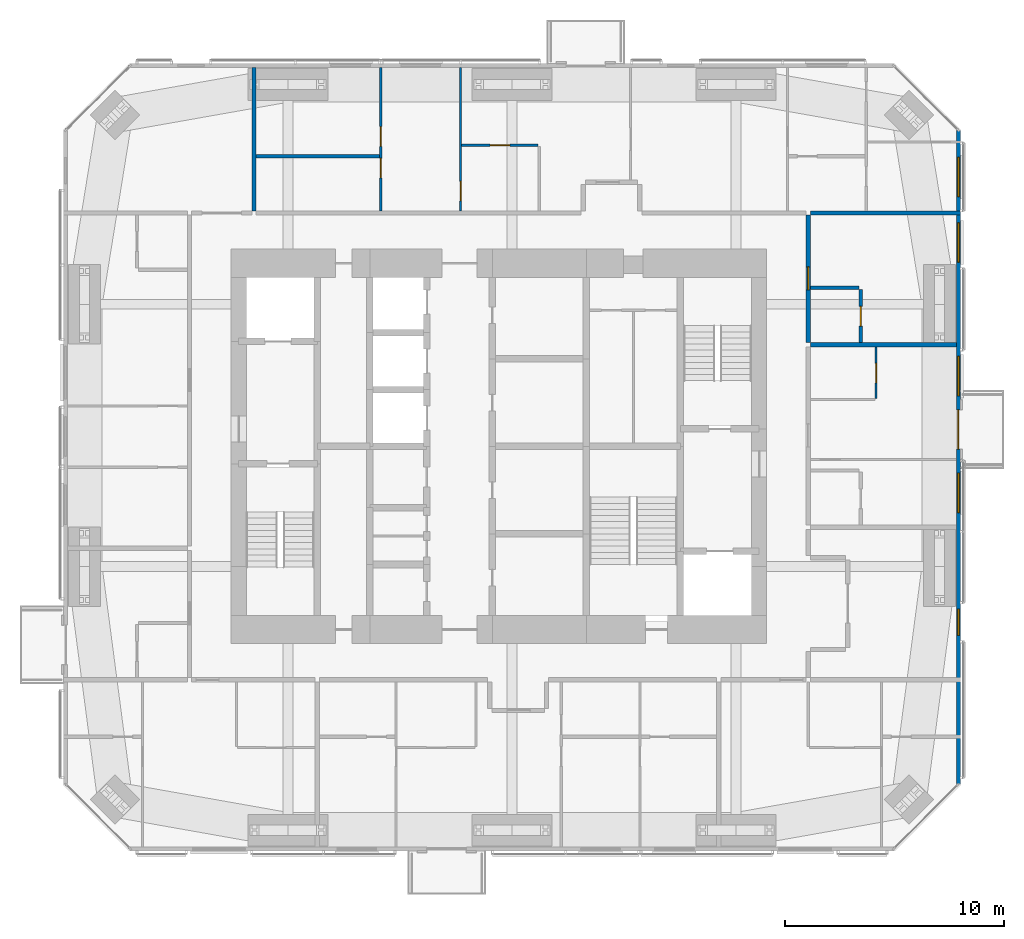
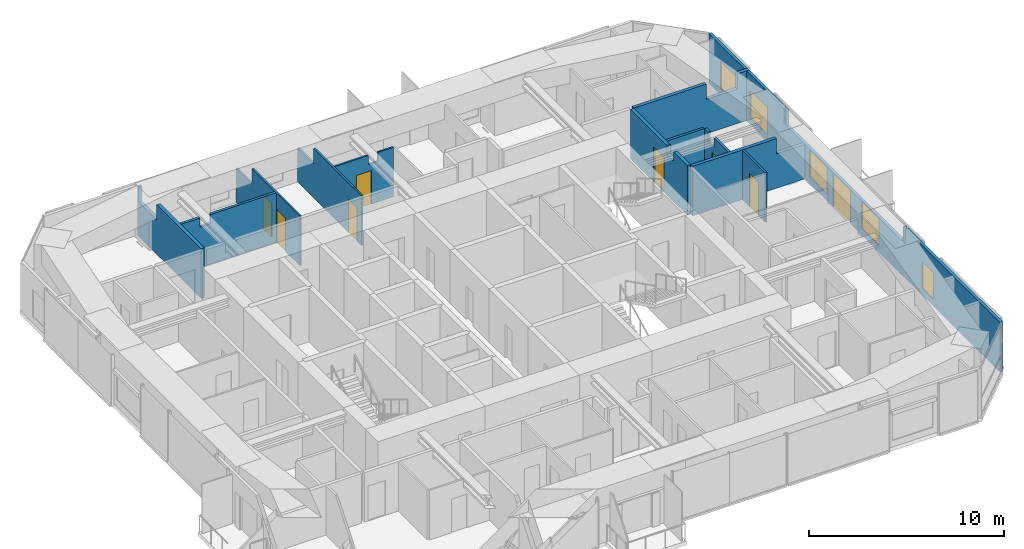
# One storey, part 21 of 23: 12 walls, 8 doors, 5 windows, 13 openings.
"""IFC4 building model written with IfcOpenShell, lengths in metres."""

from ifc_helpers import new_model, si_unit, direction, frame, frame_2d, origin, place, context, subcontext, project, spatial, polyline, rectangle, outline, extrude, material, constituent, constituent_set, type_object, element, fill, save


model = new_model("IFC4")

# Units and contexts
model_context = context("Model", 3, precision=1e-05, world=origin(), true_north=direction((0.0, 1.0)))
body_context = subcontext(model_context, "Body", "Model", "MODEL_VIEW")
ifc_project = project(units=[si_unit("LENGTHUNIT", "METRE"), si_unit("AREAUNIT", "SQUARE_METRE"), si_unit("VOLUMEUNIT", "CUBIC_METRE"), si_unit("PLANEANGLEUNIT", "RADIAN"), si_unit("MASSUNIT", "GRAM", prefix="KILO")], contexts=[model_context])

# Site, building, storey
site_placement = place(None, origin())
site = spatial("IfcSite", under=ifc_project, at=site_placement, CompositionType="ELEMENT")
building_placement = place(site_placement, origin())
building = spatial("IfcBuilding", under=site, at=building_placement, Name="Jalousie Tower", CompositionType="ELEMENT")
storey_placement = place(building_placement, frame((0.0, 0.0, 181.14990234375)))
storey = spatial("IfcBuildingStorey", under=building, at=storey_placement, Name="L49", CompositionType="ELEMENT", Elevation=181.14990234375)

# Wall
ifc_material_1 = material(Name="Concrete block ASTM C90", Category="concrete")
ifc_constituent_1 = constituent(ifc_material_1, Name="Body")
ifc_material_2 = material(Name="Render")
ifc_constituent_2 = constituent(ifc_material_2, Name="Finish")
ifc_constituent_set_1 = constituent_set(constituents=[ifc_constituent_1, ifc_constituent_2])
wall_type_1 = type_object("IfcWallType", Name="BATHROOM WALL 150", PredefinedType="PLUMBINGWALL", material=ifc_constituent_set_1)
wall_1_placement = place(storey_placement, frame((20.800048828125, 31.77490234375, 0.0), z_axis=(0.0, 0.0, 1.0), x_axis=(1.0, 0.0, 0.0)))
element("IfcWall", 1, at=wall_1_placement, inside=storey, type_object=wall_type_1, Name="Bathroom Wall 150 L49", PredefinedType="PLUMBINGWALL", context=body_context, shape_type="SweptSolid", body=[
    extrude(outline(polyline([(0.0, 0.0), (5.64990234375, 0.0), (5.64990234375, 3.110107421875), (1.762451171875, 3.110107421875), (1.762451171875, 2.541015625), (1.1376953125, 2.541015625), (1.1376953125, 3.110107421875), (0.0, 3.110107421875), (0.0, 0.0)])), frame((0.0, 0.074951171875, 0.0), z_axis=(0.0, -1.0, 0.0), x_axis=(1.0, 0.0, 0.0)), (0.0, 0.0, 1.0), 0.14990234375),
])

# Wall, opening, door
wall_2_placement = place(storey_placement, frame((48.449951171875, 23.25, 0.0), z_axis=(0.0, 0.0, 1.0), x_axis=(0.0, 1.0, 0.0)))
wall_2 = element("IfcWall", 2, at=wall_2_placement, inside=storey, type_object=wall_type_1, Name="Bathroom Wall 150 L49", PredefinedType="PLUMBINGWALL", context=body_context, shape_type="SweptSolid", body=[
    extrude(outline(polyline([(0.0, 0.0), (2.425048828125, 0.0), (2.425048828125, 3.110107421875), (2.0625, 3.110107421875), (2.0625, 2.541015625), (1.4375, 2.541015625), (1.4375, 3.110107421875), (0.0, 3.110107421875), (0.0, 0.0)])), frame((0.0, 0.074951171875, 0.0), z_axis=(0.0, -1.0, 0.0), x_axis=(1.0, 0.0, 0.0)), (0.0, 0.0, 1.0), 0.14990234375),
])
opening_1_placement = place(wall_2_placement, frame((0.75, 0.0, 0.0)))
opening_1 = element("IfcOpeningElement", 3, at=opening_1_placement, cuts=wall_2, Name="Opening D3", PredefinedType="OPENING", context=body_context, shape_type="SweptSolid", body=[
    extrude(rectangle(XDim=0.89990234375, YDim=2.10009765625, at=frame_2d((0.449951171875, 1.050048828125))), frame((0.0, 0.0849609375, 0.0), z_axis=(0.0, -1.0, 0.0), x_axis=(1.0, 0.0, 0.0)), (0.0, 0.0, 1.0), 0.169921875),
])
ifc_material_3 = material(Name="Timber door", Category="wood")
door_type_1 = type_object("IfcDoorType", Name="BATHROOM DOOR 900", OperationType="SINGLE_SWING_LEFT", PredefinedType="DOOR", material=ifc_material_3)
door_1_placement = place(opening_1_placement, origin())
door_1 = element("IfcDoor", 4, at=door_1_placement, inside=storey, type_object=door_type_1, Name="Apartment 4908 bathroom door", OperationType="SINGLE_SWING_LEFT", OverallHeight=2.10009765625, OverallWidth=0.89990234375, PredefinedType="DOOR", context=body_context, shape_type="SweptSolid", body=[
    extrude(rectangle(XDim=0.89990234375, YDim=2.10009765625, at=frame_2d((0.449951171875, 1.050048828125))), frame((0.0, 0.02490234375, 0.0), z_axis=(0.0, -1.0, 0.0), x_axis=(1.0, 0.0, 0.0)), (0.0, 0.0, 1.0), 0.050048828125),
])
fill(opening_1, door_1)

# Wall
wall_3_placement = place(storey_placement, frame((48.375, 25.75, 0.0), z_axis=(0.0, 0.0, 1.0), x_axis=(-1.0, 0.0, 0.0)))
element("IfcWall", 5, at=wall_3_placement, inside=storey, type_object=wall_type_1, Name="Bathroom Wall 150 L49", PredefinedType="PLUMBINGWALL", context=body_context, shape_type="SweptSolid", body=[
    extrude(rectangle(XDim=2.22509765625, YDim=0.14990234375, at=frame_2d((1.112548828125, 0.0))), origin(), (0.0, 0.0, 1.0), 3.110107421875),
])

# Wall, opening, door
ifc_material_4 = material(Name="Concrete block ASTM C90", Category="concrete")
ifc_constituent_3 = constituent(ifc_material_4, Name="Body")
ifc_material_5 = material(Name="Render")
ifc_constituent_4 = constituent(ifc_material_5, Name="Finish")
ifc_constituent_set_2 = constituent_set(constituents=[ifc_constituent_3, ifc_constituent_4])
wall_type_2 = type_object("IfcWallType", Name="CORRIDOR WALL 200", PredefinedType="PARTITIONING", material=ifc_constituent_set_2)
wall_4_placement = place(storey_placement, frame((46.050048828125, 23.25, 0.0), z_axis=(0.0, 0.0, 1.0), x_axis=(0.0, 1.0, 0.0)))
wall_4 = element("IfcWall", 6, at=wall_4_placement, inside=storey, type_object=wall_type_2, Name="Corridor Wall 200 L49", PredefinedType="PARTITIONING", context=body_context, shape_type="SweptSolid", body=[
    extrude(outline(polyline([(0.0, 0.0), (5.824951171875, 0.0), (5.824951171875, 3.110107421875), (2.08740234375, 3.110107421875), (2.08740234375, 2.541015625), (1.41259765625, 2.541015625), (1.41259765625, 3.110107421875), (0.0, 3.110107421875), (0.0, 0.0)])), frame((0.0, 0.10009765625, 0.0), z_axis=(0.0, -1.0, 0.0), x_axis=(1.0, 0.0, 0.0)), (0.0, 0.0, 1.0), 0.199951171875),
])
opening_2_placement = place(wall_4_placement, frame((2.41259765625, 0.0, 0.0)))
opening_2 = element("IfcOpeningElement", 7, at=opening_2_placement, cuts=wall_4, Name="Opening D1", PredefinedType="OPENING", context=body_context, shape_type="SweptSolid", body=[
    extrude(rectangle(XDim=1.050048828125, YDim=2.199951171875, at=frame_2d((0.52490234375, 1.10009765625))), frame((0.0, 0.10986328125, 0.0), z_axis=(0.0, -1.0, 0.0), x_axis=(1.0, 0.0, 0.0)), (0.0, 0.0, 1.0), 0.219970703125),
])
ifc_material_6 = material(Name="Timber fire door", Category="wood")
door_type_2 = type_object("IfcDoorType", Name="APARTMENT ENTRANCE DOOR 1050", OperationType="SINGLE_SWING_LEFT", PredefinedType="DOOR", material=ifc_material_6)
door_2_placement = place(opening_2_placement, frame((1.050048828125, 0.0, 0.0), z_axis=(0.0, 0.0, 1.0), x_axis=(-1.0, 0.0, 0.0)))
door_2 = element("IfcDoor", 8, at=door_2_placement, inside=storey, type_object=door_type_2, Name="Apartment 4908 entrance", OperationType="SINGLE_SWING_LEFT", OverallHeight=2.199951171875, OverallWidth=1.050048828125, PredefinedType="DOOR", context=body_context, shape_type="SweptSolid", body=[
    extrude(rectangle(XDim=1.050048828125, YDim=2.199951171875, at=frame_2d((0.52490234375, 1.10009765625))), frame((0.0, 0.02490234375, 0.0), z_axis=(0.0, -1.0, 0.0), x_axis=(1.0, 0.0, 0.0)), (0.0, 0.0, 1.0), 0.050048828125),
])
fill(opening_2, door_2)

# Wall, openings, door, windows
ifc_material_7 = material(Name="Concrete f'c 40 MPa", Category="concrete")
ifc_constituent_5 = constituent(ifc_material_7, Name="Body")
ifc_material_8 = material(Name="Render, pastel lemon")
ifc_constituent_6 = constituent(ifc_material_8, Name="Finish")
ifc_constituent_set_3 = constituent_set(constituents=[ifc_constituent_5, ifc_constituent_6])
wall_type_3 = type_object("IfcWallType", Name="EXTERNAL WALL 175 LEMON RENDER", PredefinedType="SOLIDWALL", material=ifc_constituent_set_3)
wall_5_placement = place(storey_placement, frame((52.91259765625, 3.05126953125, 0.0), z_axis=(0.0, 0.0, 1.0), x_axis=(0.0, 1.0, 0.0)))
wall_5 = element("IfcWall", 9, at=wall_5_placement, inside=storey, type_object=wall_type_3, Name="External Wall 175 Lemon Render L49", PredefinedType="SOLIDWALL", context=body_context, shape_type="SweptSolid", body=[
    extrude(outline(polyline([(0.0, 0.0), (29.8974609375, 0.0), (29.8974609375, 3.110107421875), (22.16748046875, 3.110107421875), (22.16748046875, 2.150146484375), (22.073974609375, 2.150146484375), (22.073974609375, 3.110107421875), (21.94873046875, 3.110107421875), (21.94873046875, 2.150146484375), (9.94873046875, 2.150146484375), (9.94873046875, 3.110107421875), (9.846923828125, 3.110107421875), (9.846923828125, 2.150146484375), (9.7060546875, 2.150146484375), (9.7060546875, 3.110107421875), (0.0, 3.110107421875), (0.0, 0.0)])), frame((0.0, 0.08740234375, 0.0), z_axis=(0.0, -1.0, 0.0), x_axis=(1.0, 0.0, 0.0)), (0.0, 0.0, 1.0), 0.175048828125),
])
opening_3_placement = place(wall_5_placement, frame((6.80810546875, 0.0, 0.39990234375)))
opening_3 = element("IfcOpeningElement", 10, at=opening_3_placement, cuts=wall_5, Name="Opening W-COR170", PredefinedType="OPENING", context=body_context, shape_type="SweptSolid", body=[
    extrude(rectangle(XDim=1.199951171875, YDim=1.699951171875, at=frame_2d((0.60009765625, 0.85009765625))), frame((0.0, 0.097412109375, 0.0), z_axis=(0.0, -1.0, 0.0), x_axis=(1.0, 0.0, 0.0)), (0.0, 0.0, 1.0), 0.195068359375),
])
opening_4_placement = place(wall_5_placement, frame((12.423583984375, 0.0, 0.39990234375)))
opening_4 = element("IfcOpeningElement", 11, at=opening_4_placement, cuts=wall_5, Name="Opening W-BED170", PredefinedType="OPENING", context=body_context, shape_type="SweptSolid", body=[
    extrude(rectangle(XDim=1.800048828125, YDim=1.699951171875, at=frame_2d((0.89990234375, 0.85009765625))), frame((0.0, 0.097412109375, 0.0), z_axis=(0.0, -1.0, 0.0), x_axis=(1.0, 0.0, 0.0)), (0.0, 0.0, 1.0), 0.195068359375),
])
opening_5_placement = place(wall_5_placement, frame((15.32373046875, 0.0, 0.0)))
opening_5 = element("IfcOpeningElement", 12, at=opening_5_placement, cuts=wall_5, Name="Opening D-BAL21", PredefinedType="OPENING", context=body_context, shape_type="SweptSolid", body=[
    extrude(rectangle(XDim=1.800048828125, YDim=2.10009765625, at=frame_2d((0.89990234375, 1.050048828125))), frame((0.0, 0.097412109375, 0.0), z_axis=(0.0, -1.0, 0.0), x_axis=(1.0, 0.0, 0.0)), (0.0, 0.0, 1.0), 0.195068359375),
])
opening_6_placement = place(wall_5_placement, frame((17.76123046875, 0.0, 0.39990234375)))
opening_6 = element("IfcOpeningElement", 13, at=opening_6_placement, cuts=wall_5, Name="Opening W-BED170", PredefinedType="OPENING", context=body_context, shape_type="SweptSolid", body=[
    extrude(rectangle(XDim=1.800048828125, YDim=1.699951171875, at=frame_2d((0.89990234375, 0.85009765625))), frame((0.0, 0.097412109375, 0.0), z_axis=(0.0, -1.0, 0.0), x_axis=(1.0, 0.0, 0.0)), (0.0, 0.0, 1.0), 0.195068359375),
])
opening_7_placement = place(wall_5_placement, frame((23.873779296875, 0.0, 0.39990234375)))
opening_7 = element("IfcOpeningElement", 14, at=opening_7_placement, cuts=wall_5, Name="Opening W-BED170", PredefinedType="OPENING", context=body_context, shape_type="SweptSolid", body=[
    extrude(rectangle(XDim=1.800048828125, YDim=1.699951171875, at=frame_2d((0.89990234375, 0.85009765625))), frame((0.0, 0.097412109375, 0.0), z_axis=(0.0, -1.0, 0.0), x_axis=(1.0, 0.0, 0.0)), (0.0, 0.0, 1.0), 0.195068359375),
])
opening_8_placement = place(wall_5_placement, frame((26.871337890625, 0.0, 0.39990234375)))
opening_8 = element("IfcOpeningElement", 15, at=opening_8_placement, cuts=wall_5, Name="Opening W-BED170", PredefinedType="OPENING", context=body_context, shape_type="SweptSolid", body=[
    extrude(rectangle(XDim=1.800048828125, YDim=1.699951171875, at=frame_2d((0.89990234375, 0.85009765625))), frame((0.0, 0.097412109375, 0.0), z_axis=(0.0, -1.0, 0.0), x_axis=(1.0, 0.0, 0.0)), (0.0, 0.0, 1.0), 0.195068359375),
])
ifc_material_9 = material(Name="Aluminium frame, impact-rated glazing", Category="aluminium")
door_type_3 = type_object("IfcDoorType", Name="BALCONY DOOR 1800x2100", OperationType="SLIDING_TO_LEFT", PredefinedType="DOOR", material=ifc_material_9)
door_3_placement = place(opening_5_placement, origin())
door_3 = element("IfcDoor", 16, at=door_3_placement, inside=storey, type_object=door_type_3, Name="Apartment 4907 studio living and sleeping room balcony door", OperationType="SLIDING_TO_LEFT", OverallHeight=2.10009765625, OverallWidth=1.800048828125, PredefinedType="DOOR", context=body_context, shape_type="SweptSolid", body=[
    extrude(rectangle(XDim=1.800048828125, YDim=2.10009765625, at=frame_2d((0.89990234375, 1.050048828125))), frame((0.0, 0.02490234375, 0.0), z_axis=(0.0, -1.0, 0.0), x_axis=(1.0, 0.0, 0.0)), (0.0, 0.0, 1.0), 0.050048828125),
])
fill(opening_5, door_3)
ifc_material_10 = material(Name="Aluminium frame, impact-rated glazing", Category="aluminium")
window_type_1 = type_object("IfcWindowType", Name="WINDOW BED 1800x1700", PartitioningType="SINGLE_PANEL", PredefinedType="WINDOW", material=ifc_material_10)
window_1_placement = place(opening_4_placement, origin())
window_1 = element("IfcWindow", 17, at=window_1_placement, inside=storey, type_object=window_type_1, Name="Apartment 4907 study window", OverallHeight=1.699951171875, OverallWidth=1.800048828125, PartitioningType="SINGLE_PANEL", PredefinedType="WINDOW", context=body_context, shape_type="SweptSolid", body=[
    extrude(rectangle(XDim=1.800048828125, YDim=1.699951171875, at=frame_2d((0.89990234375, 0.85009765625))), frame((0.0, 0.030029296875, 0.0), z_axis=(0.0, -1.0, 0.0), x_axis=(1.0, 0.0, 0.0)), (0.0, 0.0, 1.0), 0.06005859375),
])
fill(opening_4, window_1)
window_2_placement = place(opening_6_placement, origin())
window_2 = element("IfcWindow", 18, at=window_2_placement, inside=storey, type_object=window_type_1, Name="Apartment 4907 studio living and sleeping room window", OverallHeight=1.699951171875, OverallWidth=1.800048828125, PartitioningType="SINGLE_PANEL", PredefinedType="WINDOW", context=body_context, shape_type="SweptSolid", body=[
    extrude(rectangle(XDim=1.800048828125, YDim=1.699951171875, at=frame_2d((0.89990234375, 0.85009765625))), frame((0.0, 0.030029296875, 0.0), z_axis=(0.0, -1.0, 0.0), x_axis=(1.0, 0.0, 0.0)), (0.0, 0.0, 1.0), 0.06005859375),
])
fill(opening_6, window_2)
window_3_placement = place(opening_7_placement, origin())
window_3 = element("IfcWindow", 19, at=window_3_placement, inside=storey, type_object=window_type_1, Name="Apartment 4908 studio kitchen, living and sleeping room window", OverallHeight=1.699951171875, OverallWidth=1.800048828125, PartitioningType="SINGLE_PANEL", PredefinedType="WINDOW", context=body_context, shape_type="SweptSolid", body=[
    extrude(rectangle(XDim=1.800048828125, YDim=1.699951171875, at=frame_2d((0.89990234375, 0.85009765625))), frame((0.0, 0.030029296875, 0.0), z_axis=(0.0, -1.0, 0.0), x_axis=(1.0, 0.0, 0.0)), (0.0, 0.0, 1.0), 0.06005859375),
])
fill(opening_7, window_3)
window_4_placement = place(opening_8_placement, origin())
window_4 = element("IfcWindow", 20, at=window_4_placement, inside=storey, type_object=window_type_1, Name="Apartment 4904 bedroom 3 window", OverallHeight=1.699951171875, OverallWidth=1.800048828125, PartitioningType="SINGLE_PANEL", PredefinedType="WINDOW", context=body_context, shape_type="SweptSolid", body=[
    extrude(rectangle(XDim=1.800048828125, YDim=1.699951171875, at=frame_2d((0.89990234375, 0.85009765625))), frame((0.0, 0.030029296875, 0.0), z_axis=(0.0, -1.0, 0.0), x_axis=(1.0, 0.0, 0.0)), (0.0, 0.0, 1.0), 0.06005859375),
])
fill(opening_8, window_4)
ifc_material_11 = material(Name="Aluminium frame, impact-rated glazing", Category="aluminium")
window_type_2 = type_object("IfcWindowType", Name="WINDOW COR 1200x1700", PartitioningType="SINGLE_PANEL", PredefinedType="WINDOW", material=ifc_material_11)
window_5_placement = place(opening_3_placement, origin())
window_5 = element("IfcWindow", 21, at=window_5_placement, inside=storey, type_object=window_type_2, Name="Residents' library window", OverallHeight=1.699951171875, OverallWidth=1.199951171875, PartitioningType="SINGLE_PANEL", PredefinedType="WINDOW", context=body_context, shape_type="SweptSolid", body=[
    extrude(rectangle(XDim=1.199951171875, YDim=1.699951171875, at=frame_2d((0.60009765625, 0.85009765625))), frame((0.0, 0.030029296875, 0.0), z_axis=(0.0, -1.0, 0.0), x_axis=(1.0, 0.0, 0.0)), (0.0, 0.0, 1.0), 0.06005859375),
])
fill(opening_3, window_5)

# Wall, openings, doors
ifc_material_12 = material(Name="Gypsum board", Category="gypsum")
ifc_constituent_7 = constituent(ifc_material_12, Name="Body")
ifc_material_13 = material(Name="Light-gauge steel studs ASTM A653 SS Grade 33", Category="steel")
ifc_constituent_8 = constituent(ifc_material_13, Name="Framing")
ifc_constituent_set_4 = constituent_set(constituents=[ifc_constituent_7, ifc_constituent_8])
wall_type_4 = type_object("IfcWallType", Name="PARTITION 100", PredefinedType="PARTITIONING", material=ifc_constituent_set_4)
wall_6_placement = place(storey_placement, frame((26.5, 35.824951171875, 0.0), z_axis=(0.0, 0.0, 1.0), x_axis=(0.0, -1.0, 0.0)))
wall_6 = element("IfcWall", 22, at=wall_6_placement, inside=storey, type_object=wall_type_4, Name="Partition 100 L49", PredefinedType="PARTITIONING", context=body_context, shape_type="SweptSolid", body=[
    extrude(outline(polyline([(0.0, 0.0), (6.550048828125, 0.0), (6.550048828125, 3.110107421875), (1.635009765625, 3.110107421875), (1.635009765625, 2.150146484375), (0.0, 2.150146484375), (0.0, 3.110107421875), (0.0, 0.0)])), frame((0.0, 0.050048828125, 0.0), z_axis=(0.0, -1.0, 0.0), x_axis=(1.0, 0.0, 0.0)), (0.0, 0.0, 1.0), 0.10009765625),
])
opening_9_placement = place(wall_6_placement, frame((2.699951171875, 0.0, 0.0)))
opening_9 = element("IfcOpeningElement", 23, at=opening_9_placement, cuts=wall_6, Name="Opening D2", PredefinedType="OPENING", context=body_context, shape_type="SweptSolid", body=[
    extrude(rectangle(XDim=0.89990234375, YDim=2.10009765625, at=frame_2d((0.449951171875, 1.050048828125))), frame((0.0, 0.06005859375, 0.0), z_axis=(0.0, -1.0, 0.0), x_axis=(1.0, 0.0, 0.0)), (0.0, 0.0, 1.0), 0.1201171875),
])
opening_10_placement = place(wall_6_placement, frame((4.14990234375, 0.0, 0.0)))
opening_10 = element("IfcOpeningElement", 24, at=opening_10_placement, cuts=wall_6, Name="Opening D7", PredefinedType="OPENING", context=body_context, shape_type="SweptSolid", body=[
    extrude(rectangle(XDim=0.89990234375, YDim=2.10009765625, at=frame_2d((0.449951171875, 1.050048828125))), frame((0.0, 0.06005859375, 0.0), z_axis=(0.0, -1.0, 0.0), x_axis=(1.0, 0.0, 0.0)), (0.0, 0.0, 1.0), 0.1201171875),
])
ifc_material_14 = material(Name="Timber door", Category="wood")
door_type_4 = type_object("IfcDoorType", Name="BEDROOM DOOR 900", OperationType="SINGLE_SWING_LEFT", PredefinedType="DOOR", material=ifc_material_14)
door_4_placement = place(opening_9_placement, frame((0.89990234375, 0.0, 0.0), z_axis=(0.0, 0.0, 1.0), x_axis=(-1.0, 0.0, 0.0)))
door_4 = element("IfcDoor", 25, at=door_4_placement, inside=storey, type_object=door_type_4, Name="Apartment 4904 bedroom 1 door", OperationType="SINGLE_SWING_LEFT", OverallHeight=2.10009765625, OverallWidth=0.89990234375, PredefinedType="DOOR", context=body_context, shape_type="SweptSolid", body=[
    extrude(rectangle(XDim=0.89990234375, YDim=2.10009765625, at=frame_2d((0.449951171875, 1.050048828125))), frame((0.0, 0.02490234375, 0.0), z_axis=(0.0, -1.0, 0.0), x_axis=(1.0, 0.0, 0.0)), (0.0, 0.0, 1.0), 0.050048828125),
])
fill(opening_9, door_4)
ifc_material_15 = material(Name="Timber door", Category="wood")
door_type_5 = type_object("IfcDoorType", Name="INTERNAL DOOR 900", OperationType="SINGLE_SWING_LEFT", PredefinedType="DOOR", material=ifc_material_15)
door_5_placement = place(opening_10_placement, frame((0.89990234375, 0.0, 0.0), z_axis=(0.0, 0.0, 1.0), x_axis=(-1.0, 0.0, 0.0)))
door_5 = element("IfcDoor", 26, at=door_5_placement, inside=storey, type_object=door_type_5, Name="Apartment 4904 bathroom door", OperationType="SINGLE_SWING_RIGHT", OverallHeight=2.10009765625, OverallWidth=0.89990234375, PredefinedType="DOOR", context=body_context, shape_type="SweptSolid", body=[
    extrude(rectangle(XDim=0.89990234375, YDim=2.10009765625, at=frame_2d((0.449951171875, 1.050048828125))), frame((0.0, 0.02490234375, 0.0), z_axis=(0.0, -1.0, 0.0), x_axis=(1.0, 0.0, 0.0)), (0.0, 0.0, 1.0), 0.050048828125),
])
fill(opening_10, door_5)

# Wall, opening, door
wall_7_placement = place(storey_placement, frame((30.14990234375, 35.824951171875, 0.0), z_axis=(0.0, 0.0, 1.0), x_axis=(0.0, -1.0, 0.0)))
wall_7 = element("IfcWall", 27, at=wall_7_placement, inside=storey, type_object=wall_type_4, Name="Partition 100 L49", PredefinedType="PARTITIONING", context=body_context, shape_type="SweptSolid", body=[
    extrude(outline(polyline([(0.0, 0.0), (6.550048828125, 0.0), (6.550048828125, 3.110107421875), (1.635009765625, 3.110107421875), (1.635009765625, 2.150146484375), (0.0, 2.150146484375), (0.0, 3.110107421875), (0.0, 0.0)])), frame((0.0, 0.050048828125, 0.0), z_axis=(0.0, -1.0, 0.0), x_axis=(1.0, 0.0, 0.0)), (0.0, 0.0, 1.0), 0.10009765625),
])
opening_11_placement = place(wall_7_placement, frame((5.199951171875, 0.0, 0.0)))
opening_11 = element("IfcOpeningElement", 28, at=opening_11_placement, cuts=wall_7, Name="Opening D2", PredefinedType="OPENING", context=body_context, shape_type="SweptSolid", body=[
    extrude(rectangle(XDim=0.89990234375, YDim=2.10009765625, at=frame_2d((0.449951171875, 1.050048828125))), frame((0.0, 0.06005859375, 0.0), z_axis=(0.0, -1.0, 0.0), x_axis=(1.0, 0.0, 0.0)), (0.0, 0.0, 1.0), 0.1201171875),
])
door_6_placement = place(opening_11_placement, frame((0.89990234375, 0.0, 0.0), z_axis=(0.0, 0.0, 1.0), x_axis=(-1.0, 0.0, 0.0)))
door_6 = element("IfcDoor", 29, at=door_6_placement, inside=storey, type_object=door_type_4, Name="Apartment 4904 study door", OperationType="SINGLE_SWING_LEFT", OverallHeight=2.10009765625, OverallWidth=0.89990234375, PredefinedType="DOOR", context=body_context, shape_type="SweptSolid", body=[
    extrude(rectangle(XDim=0.89990234375, YDim=2.10009765625, at=frame_2d((0.449951171875, 1.050048828125))), frame((0.0, 0.02490234375, 0.0), z_axis=(0.0, -1.0, 0.0), x_axis=(1.0, 0.0, 0.0)), (0.0, 0.0, 1.0), 0.050048828125),
])
fill(opening_11, door_6)

wall_8_placement = place(storey_placement, frame((30.199951171875, 32.27490234375, 0.0), z_axis=(0.0, 0.0, 1.0), x_axis=(1.0, 0.0, 0.0)))
wall_8 = element("IfcWall", 30, at=wall_8_placement, inside=storey, type_object=wall_type_4, Name="Partition 100 L49", PredefinedType="PARTITIONING", context=body_context, shape_type="SweptSolid", body=[
    extrude(outline(polyline([(0.0, 0.0), (3.5, 0.0), (3.5, 3.110107421875), (2.58740234375, 3.110107421875), (2.58740234375, 2.541015625), (2.0126953125, 2.541015625), (2.0126953125, 3.110107421875), (0.0, 3.110107421875), (0.0, 0.0)])), frame((0.0, 0.050048828125, 0.0), z_axis=(0.0, -1.0, 0.0), x_axis=(1.0, 0.0, 0.0)), (0.0, 0.0, 1.0), 0.10009765625),
])
opening_12_placement = place(wall_8_placement, frame((1.300048828125, 0.0, 0.0)))
opening_12 = element("IfcOpeningElement", 31, at=opening_12_placement, cuts=wall_8, Name="Opening D7", PredefinedType="OPENING", context=body_context, shape_type="SweptSolid", body=[
    extrude(rectangle(XDim=0.89990234375, YDim=2.10009765625, at=frame_2d((0.449951171875, 1.050048828125))), frame((0.0, 0.06005859375, 0.0), z_axis=(0.0, -1.0, 0.0), x_axis=(1.0, 0.0, 0.0)), (0.0, 0.0, 1.0), 0.1201171875),
])
door_7_placement = place(opening_12_placement, frame((0.89990234375, 0.0, 0.0), z_axis=(0.0, 0.0, 1.0), x_axis=(-1.0, 0.0, 0.0)))
door_7 = element("IfcDoor", 32, at=door_7_placement, inside=storey, type_object=door_type_5, Name="Apartment 4904 kitchen door", OperationType="SINGLE_SWING_RIGHT", OverallHeight=2.10009765625, OverallWidth=0.89990234375, PredefinedType="DOOR", context=body_context, shape_type="SweptSolid", body=[
    extrude(rectangle(XDim=0.89990234375, YDim=2.10009765625, at=frame_2d((0.449951171875, 1.050048828125))), frame((0.0, 0.02490234375, 0.0), z_axis=(0.0, -1.0, 0.0), x_axis=(1.0, 0.0, 0.0)), (0.0, 0.0, 1.0), 0.050048828125),
])
fill(opening_12, door_7)

wall_9_placement = place(storey_placement, frame((49.14990234375, 20.699951171875, 0.0), z_axis=(0.0, 0.0, 1.0), x_axis=(0.0, 1.0, 0.0)))
wall_9 = element("IfcWall", 33, at=wall_9_placement, inside=storey, type_object=wall_type_4, Name="Partition 100 L49", PredefinedType="PARTITIONING", context=body_context, shape_type="SweptSolid", body=[
    extrude(rectangle(XDim=2.35009765625, YDim=0.10009765625, at=frame_2d((1.175048828125, 0.0))), origin(), (0.0, 0.0, 1.0), 3.110107421875),
])
opening_13_placement = place(wall_9_placement, frame((0.699951171875, 0.0, 0.0)))
opening_13 = element("IfcOpeningElement", 34, at=opening_13_placement, cuts=wall_9, Name="Opening D7", PredefinedType="OPENING", context=body_context, shape_type="SweptSolid", body=[
    extrude(rectangle(XDim=0.89990234375, YDim=2.10009765625, at=frame_2d((0.449951171875, 1.050048828125))), frame((0.0, 0.06005859375, 0.0), z_axis=(0.0, -1.0, 0.0), x_axis=(1.0, 0.0, 0.0)), (0.0, 0.0, 1.0), 0.1201171875),
])
door_8_placement = place(opening_13_placement, origin())
door_8 = element("IfcDoor", 35, at=door_8_placement, inside=storey, type_object=door_type_5, Name="Apartment 4907 kitchen door", OperationType="SINGLE_SWING_LEFT", OverallHeight=2.10009765625, OverallWidth=0.89990234375, PredefinedType="DOOR", context=body_context, shape_type="SweptSolid", body=[
    extrude(rectangle(XDim=0.89990234375, YDim=2.10009765625, at=frame_2d((0.449951171875, 1.050048828125))), frame((0.0, 0.02490234375, 0.0), z_axis=(0.0, -1.0, 0.0), x_axis=(1.0, 0.0, 0.0)), (0.0, 0.0, 1.0), 0.050048828125),
])
fill(opening_13, door_8)

# Walls
ifc_material_16 = material(Name="Concrete block ASTM C90", Category="concrete")
ifc_constituent_9 = constituent(ifc_material_16, Name="Body")
ifc_material_17 = material(Name="Render")
ifc_constituent_10 = constituent(ifc_material_17, Name="Finish")
ifc_constituent_set_5 = constituent_set(constituents=[ifc_constituent_9, ifc_constituent_10])
wall_type_5 = type_object("IfcWallType", Name="PARTY WALL 200", PredefinedType="PARTITIONING", material=ifc_constituent_set_5)
wall_10_placement = place(storey_placement, frame((20.699951171875, 35.824951171875, 0.0), z_axis=(0.0, 0.0, 1.0), x_axis=(0.0, -1.0, 0.0)))
element("IfcWall", 36, at=wall_10_placement, inside=storey, type_object=wall_type_5, Name="Party Wall 200 L49", PredefinedType="PARTITIONING", context=body_context, shape_type="SweptSolid", body=[
    extrude(outline(polyline([(0.0, 0.0), (6.550048828125, 0.0), (6.550048828125, 3.110107421875), (1.973388671875, 3.110107421875), (1.973388671875, 2.150146484375), (0.125244140625, 2.150146484375), (0.125244140625, 3.110107421875), (0.0, 3.110107421875), (0.0, 0.0)])), frame((0.0, 0.10009765625, 0.0), z_axis=(0.0, -1.0, 0.0), x_axis=(1.0, 0.0, 0.0)), (0.0, 0.0, 1.0), 0.199951171875),
])
wall_11_placement = place(storey_placement, frame((46.14990234375, 29.175048828125, 0.0), z_axis=(0.0, 0.0, 1.0), x_axis=(1.0, 0.0, 0.0)))
element("IfcWall", 37, at=wall_11_placement, inside=storey, type_object=wall_type_5, Name="Party Wall 200 L49", PredefinedType="PARTITIONING", context=body_context, shape_type="SweptSolid", body=[
    extrude(outline(polyline([(0.0, 0.0), (6.85009765625, 0.0), (6.85009765625, 3.110107421875), (6.14697265625, 3.110107421875), (6.14697265625, 2.150146484375), (4.30322265625, 2.150146484375), (4.30322265625, 3.110107421875), (0.0, 3.110107421875), (0.0, 0.0)])), frame((0.0, 0.10009765625, 0.0), z_axis=(0.0, -1.0, 0.0), x_axis=(1.0, 0.0, 0.0)), (0.0, 0.0, 1.0), 0.199951171875),
])
wall_12_placement = place(storey_placement, frame((52.824951171875, 23.14990234375, 0.0), z_axis=(0.0, 0.0, 1.0), x_axis=(-1.0, 0.0, 0.0)))
element("IfcWall", 38, at=wall_12_placement, inside=storey, type_object=wall_type_5, Name="Party Wall 200 L49", PredefinedType="PARTITIONING", context=body_context, shape_type="SweptSolid", body=[
    extrude(outline(polyline([(0.0, 0.0), (6.675048828125, 0.0), (6.675048828125, 3.110107421875), (1.68505859375, 3.110107421875), (1.68505859375, 2.150146484375), (0.0, 2.150146484375), (0.0, 3.110107421875), (0.0, 0.0)])), frame((0.0, 0.10009765625, 0.0), z_axis=(0.0, -1.0, 0.0), x_axis=(1.0, 0.0, 0.0)), (0.0, 0.0, 1.0), 0.199951171875),
])

save(model, "model.ifc")
